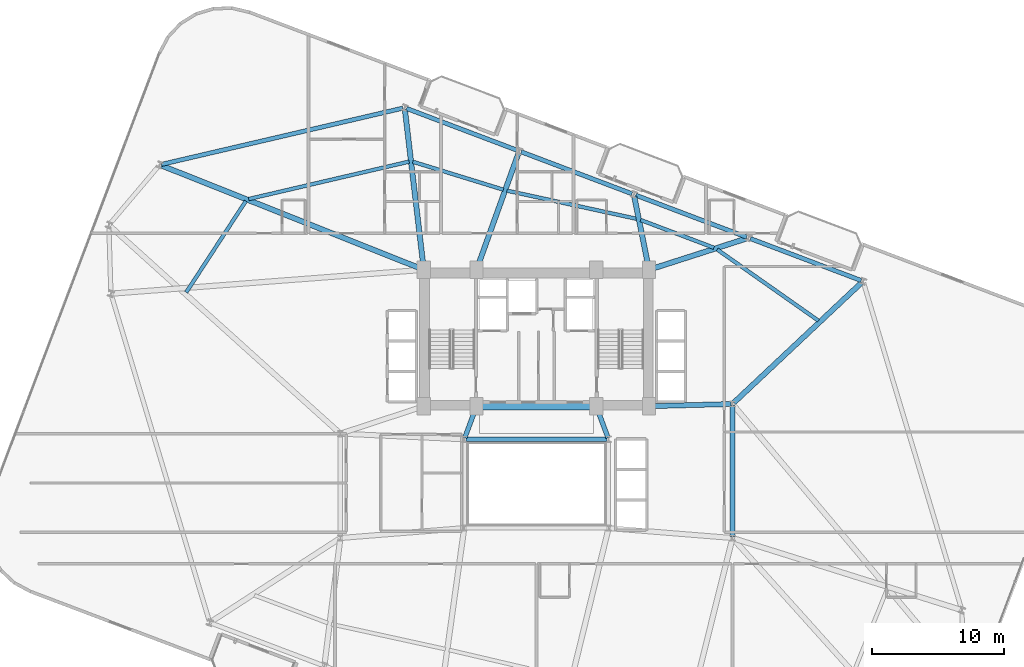
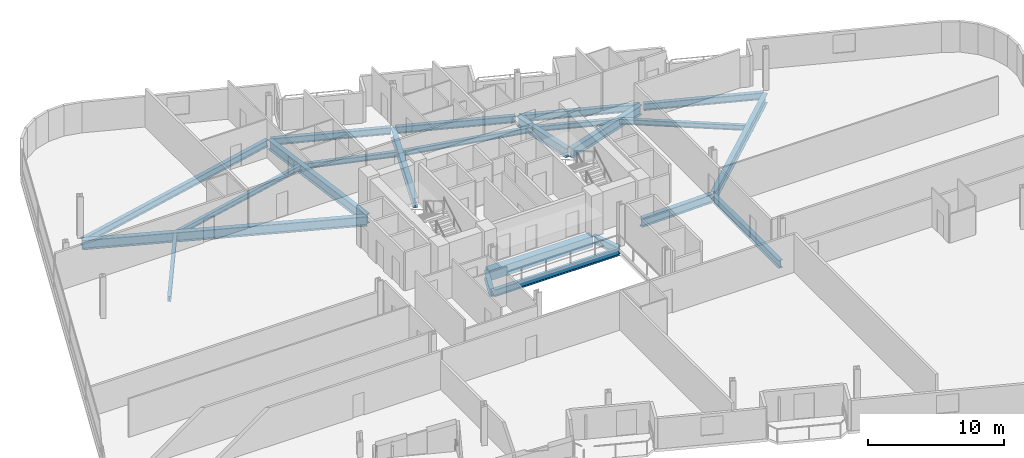
# One storey, part 9 of 24: 23 beams.
"""IFC4 building model written with IfcOpenShell, lengths in metres."""

from ifc_helpers import new_model, si_unit, direction, frame, origin, origin_2d, place, context, subcontext, project, spatial, rectangle, i_section, extrude, material, material_profile, profile_set, type_object, element, save


model = new_model("IFC4")

# Units and contexts
model_context = context("Model", 3, precision=1e-05, world=origin(), true_north=direction((0.0, 1.0)))
body_context = subcontext(model_context, "Body", "Model", "MODEL_VIEW")
ifc_project = project(units=[si_unit("LENGTHUNIT", "METRE"), si_unit("AREAUNIT", "SQUARE_METRE"), si_unit("VOLUMEUNIT", "CUBIC_METRE"), si_unit("PLANEANGLEUNIT", "RADIAN"), si_unit("MASSUNIT", "GRAM", prefix="KILO")], contexts=[model_context])

# Site, building, storey
site_placement = place(None, origin())
site = spatial("IfcSite", under=ifc_project, at=site_placement, CompositionType="ELEMENT")
building_placement = place(site_placement, origin())
building = spatial("IfcBuilding", under=site, at=building_placement, Name="Varnelok Gate Tower", CompositionType="ELEMENT")
storey_placement = place(building_placement, frame((0.0, 0.0, 102.10009765625)))
storey = spatial("IfcBuildingStorey", under=building, at=storey_placement, Name="L25", CompositionType="ELEMENT", Elevation=102.10009765625)

# Beams
ifc_material_1 = material(Name="Structural Steel ASTM A992 Grade 50", Category="steel")
ifc_material_profile_1 = material_profile(ifc_material_1, i_section(OverallWidth=0.280029296875, OverallDepth=0.462890625, WebThickness=0.0107421875, FlangeThickness=0.017333984375, FilletRadius=0.014892578125, at=origin_2d()), Name="W18X76")
ifc_profile_set_1 = profile_set([ifc_material_profile_1], Name="Structural Steel ASTM A992 Grade 50")
beam_type_1 = type_object("IfcBeamType", Name="BM-JST-W18X76", PredefinedType="JOIST", material=ifc_profile_set_1)
beam_1_placement = place(storey_placement, frame((60.490966796875, 35.207275390625, -0.481689453125), z_axis=(-0.818022629428, 0.575186037507, 0.0), x_axis=(-0.575186037507, -0.818022629428, 0.0)))
element("IfcBeam", 1, at=beam_1_placement, inside=storey, type_object=beam_type_1, Name="L25 Sector Floor Joist 7", PredefinedType="JOIST", context=body_context, shape_type="SweptSolid", body=[
    extrude(i_section(OverallWidth=0.280029296875, OverallDepth=0.462890625, WebThickness=0.0107421875, FlangeThickness=0.017333984375, FilletRadius=0.014892578125, at=origin_2d()), origin(), (0.0, 0.0, 1.0), 9.346923828125),
])
beam_2_placement = place(storey_placement, frame((52.599609375, 40.71337890625, -0.481689453125), z_axis=(-0.93521906908, 0.354069615795, 0.0), x_axis=(-0.354069615795, -0.93521906908, 0.0)))
element("IfcBeam", 2, at=beam_2_placement, inside=storey, type_object=beam_type_1, Name="L25 Sector Floor Joist 8", PredefinedType="JOIST", context=body_context, shape_type="SweptSolid", body=[
    extrude(i_section(OverallWidth=0.280029296875, OverallDepth=0.462890625, WebThickness=0.0107421875, FlangeThickness=0.017333984375, FilletRadius=0.014892578125, at=origin_2d()), origin(), (0.0, 0.0, 1.0), 5.91748046875),
])
beam_3_placement = place(storey_placement, frame((46.797607421875, 42.887939453125, -0.481689453125), z_axis=(-0.977172636002, 0.212446792044, 0.0), x_axis=(-0.212446792044, -0.977172636002, 0.0)))
element("IfcBeam", 3, at=beam_3_placement, inside=storey, type_object=beam_type_1, Name="L25 Sector Floor Joist 9", PredefinedType="JOIST", context=body_context, shape_type="SweptSolid", body=[
    extrude(i_section(OverallWidth=0.280029296875, OverallDepth=0.462890625, WebThickness=0.0107421875, FlangeThickness=0.017333984375, FilletRadius=0.014892578125, at=origin_2d()), origin(), (0.0, 0.0, 1.0), 10.048583984375),
])
beam_4_placement = place(storey_placement, frame((36.7080078125, 45.09375, -0.481689453125), z_axis=(-0.955517656655, 0.294933904156, 0.0), x_axis=(-0.294933904156, -0.955517656655, 0.0)))
element("IfcBeam", 4, at=beam_4_placement, inside=storey, type_object=beam_type_1, Name="L25 Sector Floor Joist 10", PredefinedType="JOIST", context=body_context, shape_type="SweptSolid", body=[
    extrude(i_section(OverallWidth=0.280029296875, OverallDepth=0.462890625, WebThickness=0.0107421875, FlangeThickness=0.017333984375, FilletRadius=0.014892578125, at=origin_2d()), origin(), (0.0, 0.0, 1.0), 7.160400390625),
])
beam_5_placement = place(storey_placement, frame((29.595947265625, 47.215087890625, -0.481689453125), z_axis=(-0.973875066894, -0.227084464643, 0.0), x_axis=(0.227084464643, -0.973875066894, 0.0)))
element("IfcBeam", 5, at=beam_5_placement, inside=storey, type_object=beam_type_1, Name="L25 Sector Floor Joist 11", PredefinedType="JOIST", context=body_context, shape_type="SweptSolid", body=[
    extrude(i_section(OverallWidth=0.280029296875, OverallDepth=0.462890625, WebThickness=0.0107421875, FlangeThickness=0.017333984375, FilletRadius=0.014892578125, at=origin_2d()), origin(), (0.0, 0.0, 1.0), 12.442138671875),
])
beam_6_placement = place(storey_placement, frame((17.265869140625, 44.24072265625, -0.481689453125), z_axis=(-0.54656270418, -0.837418181316, 0.0), x_axis=(0.837418181316, -0.54656270418, 0.0)))
element("IfcBeam", 6, at=beam_6_placement, inside=storey, type_object=beam_type_1, Name="L25 Sector Floor Joist 12", PredefinedType="JOIST", context=body_context, shape_type="SweptSolid", body=[
    extrude(i_section(OverallWidth=0.280029296875, OverallDepth=0.462890625, WebThickness=0.0107421875, FlangeThickness=0.017333984375, FilletRadius=0.014892578125, at=origin_2d()), origin(), (0.0, 0.0, 1.0), 8.23095703125),
])
ifc_material_2 = material(Name="Concrete C60/75", Category="concrete")
ifc_material_profile_2 = material_profile(ifc_material_2, rectangle(XDim=0.60009765625, YDim=0.949951171875, at=origin_2d()), Name="RC950X600")
ifc_profile_set_2 = profile_set([ifc_material_profile_2], Name="Concrete C60/75")
beam_type_2 = type_object("IfcBeamType", Name="BM-LNT-RC950", PredefinedType="LINTEL", material=ifc_profile_set_2)
beam_7_placement = place(storey_placement, frame((34.800048828125, 28.75, -0.72509765625), z_axis=(1.0, 0.0, 0.0), x_axis=(0.0, 1.0, 0.0)))
element("IfcBeam", 7, at=beam_7_placement, inside=storey, type_object=beam_type_2, Name="L25 Core-Atrium Spine Beam 7", PredefinedType="LINTEL", context=body_context, shape_type="SweptSolid", body=[
    extrude(rectangle(XDim=0.60009765625, YDim=0.949951171875, at=origin_2d()), origin(), (0.0, 0.0, 1.0), 8.800048828125),
])
ifc_material_profile_3 = material_profile(ifc_material_1, i_section(OverallWidth=0.35498046875, OverallDepth=0.696044921875, WebThickness=0.015380859375, FlangeThickness=0.02490234375, FilletRadius=0.02001953125, at=origin_2d()), Name="W27X146")
ifc_profile_set_3 = profile_set([ifc_material_profile_3], Name="Structural Steel ASTM A992 Grade 50")
beam_type_3 = type_object("IfcBeamType", Name="BM-PRI-W27X146", PredefinedType="BEAM", material=ifc_profile_set_3)
for number, where, z_axis, x_axis, name in (
    (8, (33.791748046875, 26.362548828125, -0.59814453125), (0.348719329408, 0.937227202602, 0.0), (-0.937227202602, 0.348719329408, 0.0), "L25 Core-Atrium Spine Beam 12"),
    (9, (44.608154296875, 26.362548828125, -0.59814453125), (-0.348719329408, 0.937227202602, 0.0), (-0.937227202602, -0.348719329408, 0.0), "L25 Core-Atrium Spine Beam 13"),
):
    element("IfcBeam", number, at=place(storey_placement, frame(where, z_axis=z_axis, x_axis=x_axis)), inside=storey, type_object=beam_type_3, Name=name, PredefinedType="BEAM", context=body_context, shape_type="SweptSolid", body=[
        extrude(i_section(OverallWidth=0.35498046875, OverallDepth=0.696044921875, WebThickness=0.015380859375, FlangeThickness=0.02490234375, FilletRadius=0.02001953125, at=origin_2d()), origin(), (0.0, 0.0, 1.0), 2.42724609375),
    ])
beam_8_placement = place(storey_placement, frame((54.0, 18.919921875, -0.59814453125), z_axis=(0.0, 1.0, 0.0), x_axis=(-1.0, 0.0, 0.0)))
element("IfcBeam", 10, at=beam_8_placement, inside=storey, type_object=beam_type_3, Name="L25 Core-Atrium Spine Beam 20", PredefinedType="BEAM", context=body_context, shape_type="SweptSolid", body=[
    extrude(i_section(OverallWidth=0.35498046875, OverallDepth=0.696044921875, WebThickness=0.015380859375, FlangeThickness=0.02490234375, FilletRadius=0.02001953125, at=origin_2d()), origin(), (0.0, 0.0, 1.0), 9.880126953125),
])
ifc_material_profile_4 = material_profile(ifc_material_1, i_section(OverallWidth=0.381103515625, OverallDepth=0.77294921875, WebThickness=0.0166015625, FlangeThickness=0.027099609375, FilletRadius=0.02197265625, at=origin_2d()), Name="W30X173")
ifc_profile_set_4 = profile_set([ifc_material_profile_4], Name="Structural Steel ASTM A992 Grade 50")
beam_type_4 = type_object("IfcBeamType", Name="BM-PRI-W30X173", PredefinedType="BEAM", material=ifc_profile_set_4)
beam_9_placement = place(storey_placement, frame((47.820068359375, 28.753173828125, -0.63671875), z_axis=(0.999635880609, 0.026983443053, 0.0), x_axis=(-0.026983443053, 0.999635880609, 0.0)))
element("IfcBeam", 11, at=beam_9_placement, inside=storey, type_object=beam_type_4, Name="L25 Core-Atrium Spine Beam 19", PredefinedType="BEAM", context=body_context, shape_type="SweptSolid", body=[
    extrude(i_section(OverallWidth=0.381103515625, OverallDepth=0.77294921875, WebThickness=0.0166015625, FlangeThickness=0.027099609375, FilletRadius=0.02197265625, at=origin_2d()), origin(), (0.0, 0.0, 1.0), 6.06201171875),
])
ifc_material_profile_5 = material_profile(ifc_material_1, i_section(OverallWidth=0.39892578125, OverallDepth=0.85498046875, WebThickness=0.018310546875, FlangeThickness=0.029296875, FilletRadius=0.02392578125, at=origin_2d()), Name="W33X201")
ifc_profile_set_5 = profile_set([ifc_material_profile_5], Name="Structural Steel ASTM A992 Grade 50")
beam_type_5 = type_object("IfcBeamType", Name="BM-PRI-W33X201", PredefinedType="BEAM", material=ifc_profile_set_5)
beam_10_placement = place(storey_placement, frame((54.109375, 29.022705078125, -0.677490234375), z_axis=(0.728763782129, 0.684765178624, 0.0), x_axis=(-0.684765178624, 0.728763782129, 0.0)))
element("IfcBeam", 12, at=beam_10_placement, inside=storey, type_object=beam_type_5, Name="L25 Radial Floor Girder 9", PredefinedType="BEAM", context=body_context, shape_type="SweptSolid", body=[
    extrude(i_section(OverallWidth=0.39892578125, OverallDepth=0.85498046875, WebThickness=0.018310546875, FlangeThickness=0.029296875, FilletRadius=0.02392578125, at=origin_2d()), origin(), (0.0, 0.0, 1.0), 13.228515625),
])
beam_11_placement = place(storey_placement, frame((47.8427734375, 39.095703125, -0.677490234375), z_axis=(0.952189173648, 0.305509046656, 0.0), x_axis=(-0.305509046656, 0.952189173648, 0.0)))
element("IfcBeam", 13, at=beam_11_placement, inside=storey, type_object=beam_type_5, Name="L25 Radial Floor Girder 10", PredefinedType="BEAM", context=body_context, shape_type="SweptSolid", body=[
    extrude(i_section(OverallWidth=0.39892578125, OverallDepth=0.85498046875, WebThickness=0.018310546875, FlangeThickness=0.029296875, FilletRadius=0.02392578125, at=origin_2d()), origin(), (0.0, 0.0, 1.0), 7.585205078125),
])
beam_12_placement = place(storey_placement, frame((47.67041015625, 39.197021484375, -0.677490234375), z_axis=(-0.19708105208, 0.980387198463, 0.0), x_axis=(-0.980387198463, -0.19708105208, 0.0)))
element("IfcBeam", 14, at=beam_12_placement, inside=storey, type_object=beam_type_5, Name="L25 Radial Floor Girder 11", PredefinedType="BEAM", context=body_context, shape_type="SweptSolid", body=[
    extrude(i_section(OverallWidth=0.39892578125, OverallDepth=0.85498046875, WebThickness=0.018310546875, FlangeThickness=0.029296875, FilletRadius=0.02392578125, at=origin_2d()), origin(), (0.0, 0.0, 1.0), 5.497802734375),
])
beam_13_placement = place(storey_placement, frame((34.730712890625, 39.191162109375, -0.677490234375), z_axis=(0.338850703631, 0.940840156801, 0.0), x_axis=(-0.940840156801, 0.338850703631, 0.0)))
element("IfcBeam", 15, at=beam_13_placement, inside=storey, type_object=beam_type_5, Name="L25 Radial Floor Girder 12", PredefinedType="BEAM", context=body_context, shape_type="SweptSolid", body=[
    extrude(i_section(OverallWidth=0.39892578125, OverallDepth=0.85498046875, WebThickness=0.018310546875, FlangeThickness=0.029296875, FilletRadius=0.02392578125, at=origin_2d()), origin(), (0.0, 0.0, 1.0), 9.222412109375),
])
beam_14_placement = place(storey_placement, frame((30.682373046875, 39.198974609375, -0.677490234375), z_axis=(-0.117226632165, 0.993105189147, 0.0), x_axis=(-0.993105189147, -0.117226632165, 0.0)))
element("IfcBeam", 16, at=beam_14_placement, inside=storey, type_object=beam_type_5, Name="L25 Radial Floor Girder 13", PredefinedType="BEAM", context=body_context, shape_type="SweptSolid", body=[
    extrude(i_section(OverallWidth=0.39892578125, OverallDepth=0.85498046875, WebThickness=0.018310546875, FlangeThickness=0.029296875, FilletRadius=0.02392578125, at=origin_2d()), origin(), (0.0, 0.0, 1.0), 12.018798828125),
])
beam_15_placement = place(storey_placement, frame((30.560546875, 39.10546875, -0.677490234375), z_axis=(-0.929316441243, 0.369284378271, 0.0), x_axis=(-0.369284378271, -0.929316441243, 0.0)))
element("IfcBeam", 17, at=beam_15_placement, inside=storey, type_object=beam_type_5, Name="L25 Radial Floor Girder 14", PredefinedType="BEAM", context=body_context, shape_type="SweptSolid", body=[
    extrude(i_section(OverallWidth=0.39892578125, OverallDepth=0.85498046875, WebThickness=0.018310546875, FlangeThickness=0.029296875, FilletRadius=0.02392578125, at=origin_2d()), origin(), (0.0, 0.0, 1.0), 21.153076171875),
])
ifc_material_profile_6 = material_profile(ifc_material_1, i_section(OverallWidth=0.323974609375, OverallDepth=0.611083984375, WebThickness=0.0126953125, FlangeThickness=0.01904296875, FilletRadius=0.01806640625, at=origin_2d()), Name="W24X104")
ifc_profile_set_6 = profile_set([ifc_material_profile_6], Name="Structural Steel ASTM A992 Grade 50")
beam_type_6 = type_object("IfcBeamType", Name="BM-SPN-W24X104", PredefinedType="SPANDREL", material=ifc_profile_set_6)
beam_16_placement = place(storey_placement, frame((33.8701171875, 26.25, -0.5556640625), z_axis=(1.0, 0.0, 0.0), x_axis=(0.0, 1.0, 0.0)))
element("IfcBeam", 18, at=beam_16_placement, inside=storey, type_object=beam_type_6, Name="L25 Core-Atrium Spine Beam 9", PredefinedType="SPANDREL", context=body_context, shape_type="SweptSolid", body=[
    extrude(i_section(OverallWidth=0.323974609375, OverallDepth=0.611083984375, WebThickness=0.0126953125, FlangeThickness=0.01904296875, FilletRadius=0.01806640625, at=origin_2d()), origin(), (0.0, 0.0, 1.0), 10.659912109375),
])
beam_17_placement = place(storey_placement, frame((63.71875, 38.23681640625, -0.5556640625), z_axis=(-0.935220356141, 0.354066216208, 0.0), x_axis=(-0.354066216208, -0.935220356141, 0.0)))
element("IfcBeam", 19, at=beam_17_placement, inside=storey, type_object=beam_type_6, Name="L25 Perimeter Spandrel Beam 9", PredefinedType="SPANDREL", context=body_context, shape_type="SweptSolid", body=[
    extrude(i_section(OverallWidth=0.323974609375, OverallDepth=0.611083984375, WebThickness=0.0126953125, FlangeThickness=0.01904296875, FilletRadius=0.01806640625, at=origin_2d()), origin(), (0.0, 0.0, 1.0), 8.9501953125),
])
for number, where, z_axis, x_axis, name in (
    (20, (55.06787109375, 41.511962890625, -0.5556640625), (-0.935216936382, 0.354075248928, 0.0), (-0.354075248928, -0.935216936382, 0.0), "L25 Perimeter Spandrel Beam 10"),
    (21, (46.4169921875, 44.787109375, -0.5556640625), (-0.935225969099, 0.354051389947, 0.0), (-0.354051389947, -0.935225969099, 0.0), "L25 Perimeter Spandrel Beam 11"),
):
    element("IfcBeam", number, at=place(storey_placement, frame(where, z_axis=z_axis, x_axis=x_axis)), inside=storey, type_object=beam_type_6, Name=name, PredefinedType="SPANDREL", context=body_context, shape_type="SweptSolid", body=[
        extrude(i_section(OverallWidth=0.323974609375, OverallDepth=0.611083984375, WebThickness=0.0126953125, FlangeThickness=0.01904296875, FilletRadius=0.01806640625, at=origin_2d()), origin(), (0.0, 0.0, 1.0), 8.949951171875),
    ])
beam_18_placement = place(storey_placement, frame((37.766357421875, 48.06201171875, -0.5556640625), z_axis=(-0.935220356141, 0.354066216208, 0.0), x_axis=(-0.354066216208, -0.935220356141, 0.0)))
element("IfcBeam", 22, at=beam_18_placement, inside=storey, type_object=beam_type_6, Name="L25 Perimeter Spandrel Beam 12", PredefinedType="SPANDREL", context=body_context, shape_type="SweptSolid", body=[
    extrude(i_section(OverallWidth=0.323974609375, OverallDepth=0.611083984375, WebThickness=0.0126953125, FlangeThickness=0.01904296875, FilletRadius=0.01806640625, at=origin_2d()), origin(), (0.0, 0.0, 1.0), 8.9501953125),
])
beam_19_placement = place(storey_placement, frame((29.109619140625, 51.25, -0.5556640625), z_axis=(-0.973877429001, -0.227074334266, 0.0), x_axis=(0.227074334266, -0.973877429001, 0.0)))
element("IfcBeam", 23, at=beam_19_placement, inside=storey, type_object=beam_type_6, Name="L25 Perimeter Spandrel Beam 13", PredefinedType="SPANDREL", context=body_context, shape_type="SweptSolid", body=[
    extrude(i_section(OverallWidth=0.323974609375, OverallDepth=0.611083984375, WebThickness=0.0126953125, FlangeThickness=0.01904296875, FilletRadius=0.01806640625, at=origin_2d()), origin(), (0.0, 0.0, 1.0), 18.6884765625),
])

save(model, "model.ifc")
